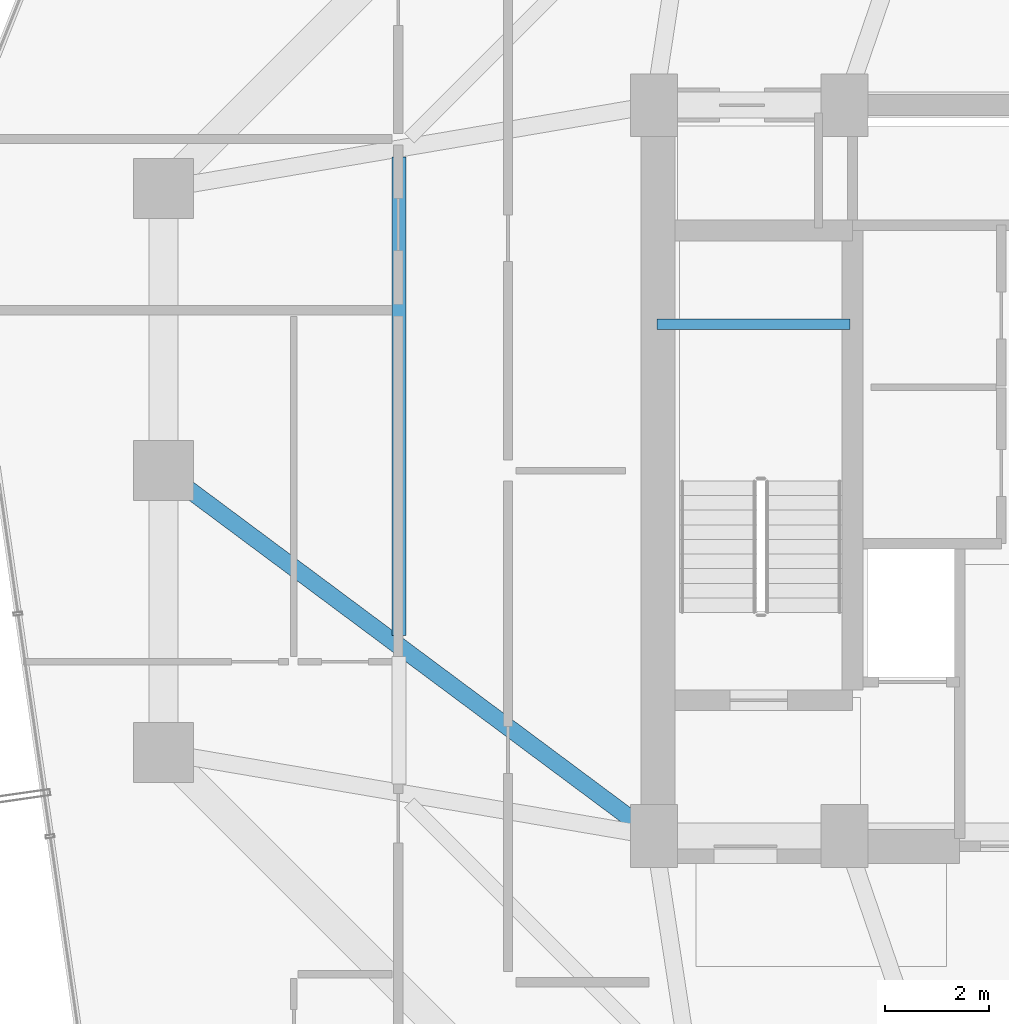
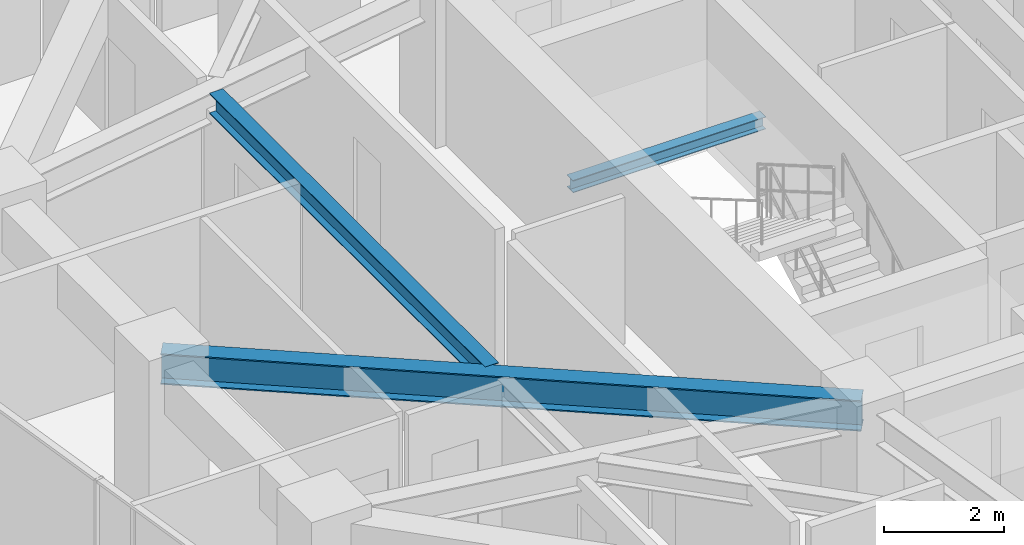
# One storey, part 11 of 34: 3 beams.
"""IFC4 building model written with IfcOpenShell, lengths in metres."""

from ifc_helpers import new_model, si_unit, direction, frame, origin, origin_2d, place, context, subcontext, project, spatial, i_section, extrude, material, material_profile, profile_set, type_object, element, save


model = new_model("IFC4")

# Units and contexts
model_context = context("Model", 3, precision=1e-05, world=origin(), true_north=direction((0.0, 1.0)))
body_context = subcontext(model_context, "Body", "Model", "MODEL_VIEW")
ifc_project = project(units=[si_unit("LENGTHUNIT", "METRE"), si_unit("AREAUNIT", "SQUARE_METRE"), si_unit("VOLUMEUNIT", "CUBIC_METRE"), si_unit("PLANEANGLEUNIT", "RADIAN"), si_unit("MASSUNIT", "GRAM", prefix="KILO")], contexts=[model_context])

# Site, building, storey
site_placement = place(None, origin())
site = spatial("IfcSite", under=ifc_project, at=site_placement, CompositionType="ELEMENT")
building_placement = place(site_placement, origin())
building = spatial("IfcBuilding", under=site, at=building_placement, Name="Veraguas Prism Commons", CompositionType="ELEMENT")
storey_placement = place(building_placement, frame((0.0, 0.0, 155.5)))
storey = spatial("IfcBuildingStorey", under=building, at=storey_placement, Name="L44", CompositionType="ELEMENT", Elevation=155.5)

# Beams
ifc_material = material(Name="Steel ASTM A992 Grade 50", Category="steel")
ifc_material_profile_1 = material_profile(ifc_material, i_section(OverallWidth=0.260986328125, OverallDepth=0.419921875, WebThickness=0.01171875, FlangeThickness=0.019287109375, at=origin_2d()), Name="W410X114")
ifc_profile_set_1 = profile_set([ifc_material_profile_1], Name="Steel ASTM A992 Grade 50")
beam_type_1 = type_object("IfcBeamType", Name="Lower Floor Joist W410x114", PredefinedType="JOIST", material=ifc_profile_set_1)
beam_1_placement = place(storey_placement, frame((12.31201171875, 30.003662109375, 2.760009765625), z_axis=(0.0, -1.0, 0.0), x_axis=(1.0, 0.0, 0.0)))
element("IfcBeam", 1, at=beam_1_placement, inside=storey, type_object=beam_type_1, Name="Composite Floor Joist L44-JS07", PredefinedType="JOIST", context=body_context, shape_type="SweptSolid", body=[
    extrude(i_section(OverallWidth=0.260986328125, OverallDepth=0.419921875, WebThickness=0.01171875, FlangeThickness=0.019287109375, at=origin_2d()), origin(), (0.0, 0.0, 1.0), 9.16162109375),
])
ifc_material_profile_2 = material_profile(ifc_material, i_section(OverallWidth=0.202880859375, OverallDepth=0.251953125, WebThickness=0.008056640625, FlangeThickness=0.013427734375, at=origin_2d()), Name="W250X58")
ifc_profile_set_2 = profile_set([ifc_material_profile_2], Name="Steel ASTM A992 Grade 50")
beam_type_2 = type_object("IfcBeamType", Name="Structural Opening Lintel W250x58", PredefinedType="LINTEL", material=ifc_profile_set_2)
beam_2_placement = place(storey_placement, frame((17.25, 26.800048828125, 1.299072265625), z_axis=(1.0, 0.0, 0.0), x_axis=(0.0, 1.0, 0.0)))
element("IfcBeam", 2, at=beam_2_placement, inside=storey, type_object=beam_type_2, Name="Stair ST-01 Half-Landing Support Beam L44-1", PredefinedType="LINTEL", context=body_context, shape_type="SweptSolid", body=[
    extrude(i_section(OverallWidth=0.202880859375, OverallDepth=0.251953125, WebThickness=0.008056640625, FlangeThickness=0.013427734375, at=origin_2d()), origin(), (0.0, 0.0, 1.0), 3.699951171875),
])
ifc_material_profile_3 = material_profile(ifc_material, i_section(OverallWidth=0.327880859375, OverallDepth=0.6220703125, WebThickness=0.015380859375, FlangeThickness=0.0244140625, at=origin_2d()), Name="W610X195")
ifc_profile_set_3 = profile_set([ifc_material_profile_3], Name="Steel ASTM A992 Grade 50")
beam_type_3 = type_object("IfcBeamType", Name="Zone 2 Radial Girder W610x195", PredefinedType="BEAM", material=ifc_profile_set_3)
beam_3_placement = place(storey_placement, frame((7.800048828125, 24.0, 2.658935546875), z_axis=(0.802040137921, -0.597270137512, 0.0), x_axis=(0.597270137512, 0.802040137921, 0.0)))
element("IfcBeam", 3, at=beam_3_placement, inside=storey, type_object=beam_type_3, Name="Radial Floor Girder L44-RD08", PredefinedType="BEAM", context=body_context, shape_type="SweptSolid", body=[
    extrude(i_section(OverallWidth=0.327880859375, OverallDepth=0.6220703125, WebThickness=0.015380859375, FlangeThickness=0.0244140625, at=origin_2d()), origin(), (0.0, 0.0, 1.0), 11.719970703125),
])

save(model, "model.ifc")
